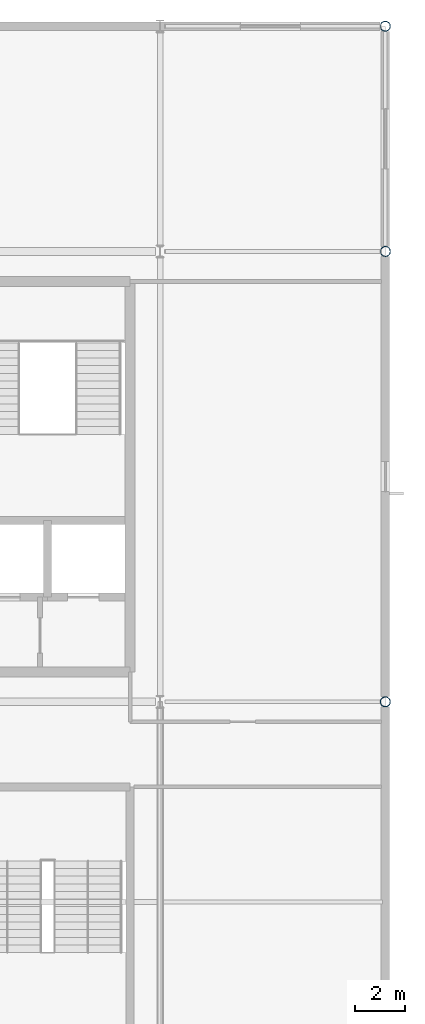
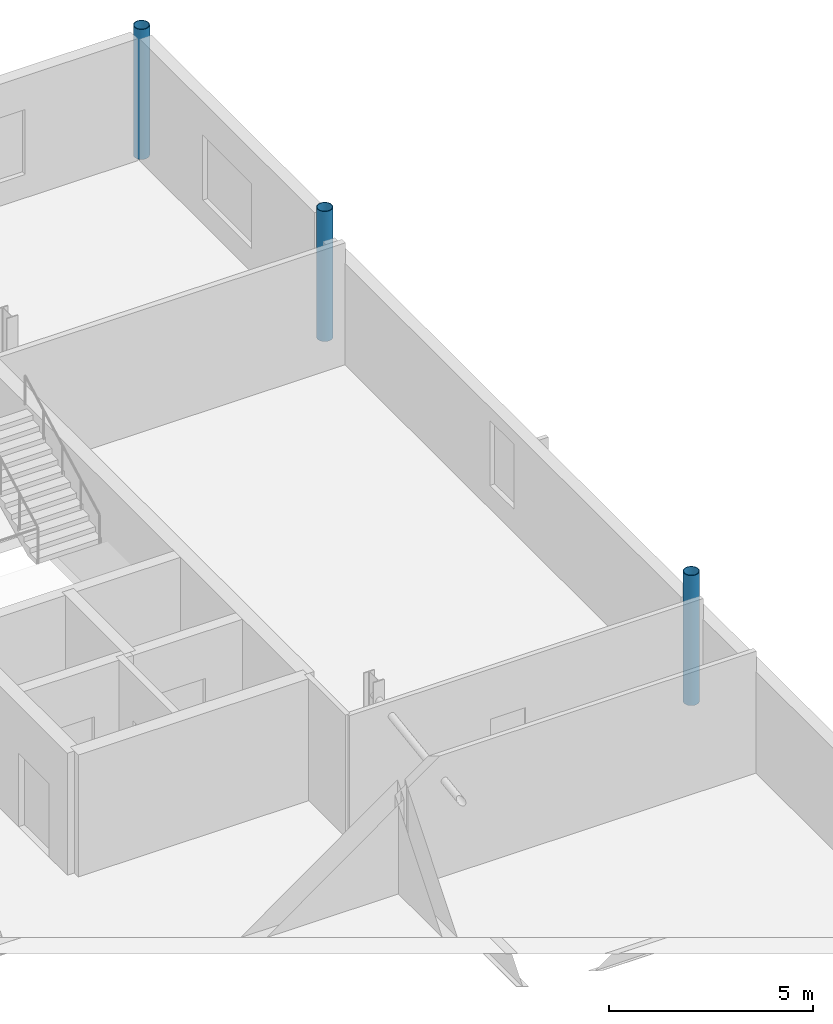
# One storey, part 16 of 96: 3 columns.
"""IFC4 building model written with IfcOpenShell, lengths in metres."""

from ifc_helpers import new_model, si_unit, direction, frame, origin, origin_2d, place, context, subcontext, project, spatial, hollow_circle, extrude, material, material_profile, profile_set, type_object, element, save


model = new_model("IFC4")

# Units and contexts
model_context = context("Model", 3, precision=1e-05, world=origin(), true_north=direction((0.0, 1.0)))
body_context = subcontext(model_context, "Body", "Model", "MODEL_VIEW")
ifc_project = project(units=[si_unit("LENGTHUNIT", "METRE"), si_unit("AREAUNIT", "SQUARE_METRE"), si_unit("VOLUMEUNIT", "CUBIC_METRE"), si_unit("PLANEANGLEUNIT", "RADIAN"), si_unit("MASSUNIT", "GRAM", prefix="KILO")], contexts=[model_context])

# Site, building, storey
site_placement = place(None, origin())
site = spatial("IfcSite", under=ifc_project, at=site_placement, CompositionType="ELEMENT")
building_placement = place(site_placement, origin())
building = spatial("IfcBuilding", under=site, at=building_placement, Name="Kisiwana Market Hall", CompositionType="ELEMENT")
storey_placement = place(building_placement, frame((0.0, 0.0, 25.5)))
storey = spatial("IfcBuildingStorey", under=building, at=storey_placement, Name="L05", CompositionType="ELEMENT", Elevation=25.5)

# Columns
ifc_material = material(Name="Steel S355", Category="steel")
ifc_material_profile = material_profile(ifc_material, hollow_circle(Radius=0.203125, WallThickness=0.01611328125, at=origin_2d()), Name="CHS 406.4x16")
ifc_profile_set = profile_set([ifc_material_profile], Name="Steel S355")
column_type = type_object("IfcColumnType", Name="COL-STL-CHS406", PredefinedType="COLUMN", material=ifc_profile_set)
for number, where, z_axis, x_axis, name in (
    (1, (198.0, 84.0, 0.0), (0.0, 0.0, 1.0), (1.0, 0.0, 0.0), "Column L/23 (L05) C-0969"),
    (2, (198.0, 102.0, 0.0), (0.0, 0.0, 1.0), (1.0, 0.0, 0.0), "Column N/23 (L05) C-0970"),
    (3, (198.0, 111.0, 0.0), (0.0, 0.0, 1.0), (1.0, 0.0, 0.0), "Column P/23 (L05) C-0971"),
):
    element("IfcColumn", number, at=place(storey_placement, frame(where, z_axis=z_axis, x_axis=x_axis)), inside=storey, type_object=column_type, Name=name, PredefinedType="COLUMN", context=body_context, shape_type="SweptSolid", body=[
        extrude(hollow_circle(Radius=0.203125, WallThickness=0.01611328125, at=origin_2d()), origin(), (0.0, 0.0, 1.0), 3.89990234375),
    ])

save(model, "model.ifc")
